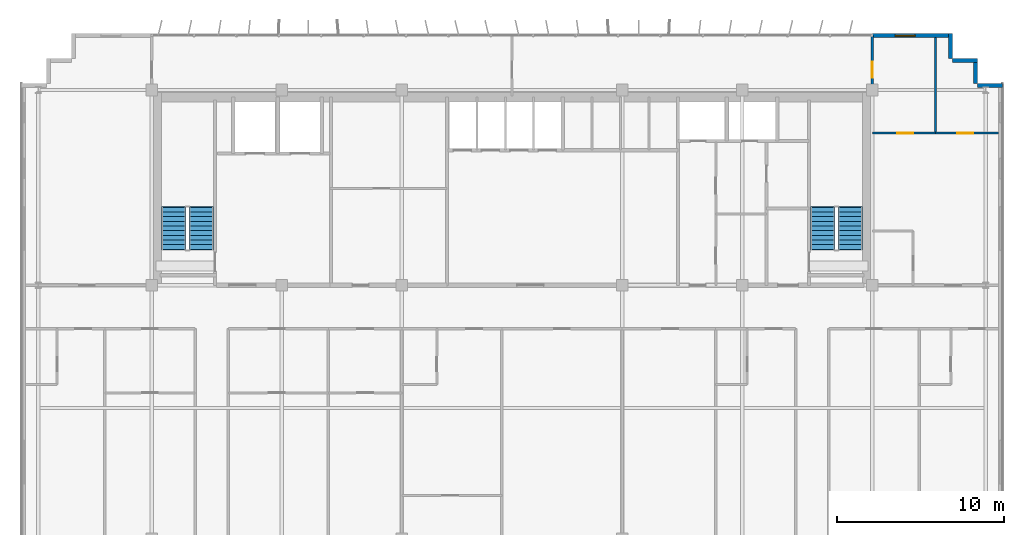
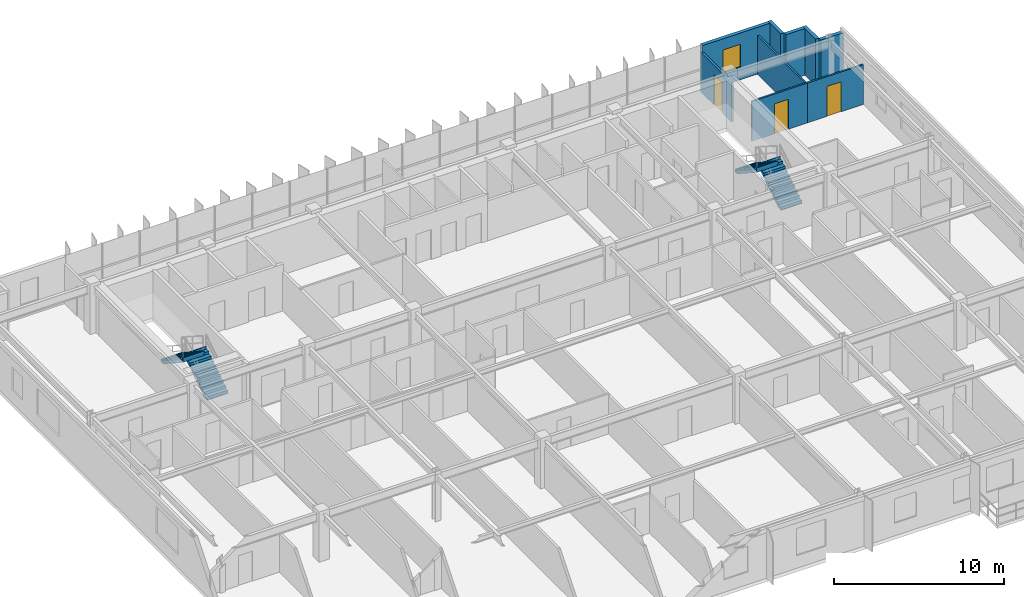
# One storey, part 19 of 21: 9 walls, 4 stair flights, 3 doors, 1 window, 4 openings, 2 elements without a shape of their own.
"""IFC4 building model written with IfcOpenShell, lengths in metres."""

from ifc_helpers import new_model, si_unit, direction, frame, frame_2d, origin, place, context, subcontext, project, spatial, polyline, rectangle, outline, extrude, source, transform, mapped, material, layer, layer_set, type_object, element, fill, aggregate, save


model = new_model("IFC4")

# Units and contexts
model_context = context("Model", 3, precision=1e-05, world=origin(), true_north=direction((0.0, 1.0)))
body_context = subcontext(model_context, "Body", "Model", "MODEL_VIEW")
ifc_project = project(units=[si_unit("LENGTHUNIT", "METRE"), si_unit("AREAUNIT", "SQUARE_METRE"), si_unit("VOLUMEUNIT", "CUBIC_METRE"), si_unit("PLANEANGLEUNIT", "RADIAN"), si_unit("MASSUNIT", "GRAM", prefix="KILO")], contexts=[model_context])

# Site, building, storey
site_placement = place(None, origin())
site = spatial("IfcSite", under=ifc_project, at=site_placement, CompositionType="ELEMENT")
building_placement = place(site_placement, origin())
building = spatial("IfcBuilding", under=site, at=building_placement, Name="Trelvane Seafront Commons", CompositionType="ELEMENT")
storey_placement = place(building_placement, frame((0.0, 0.0, 160.89990234375)))
storey = spatial("IfcBuildingStorey", under=building, at=storey_placement, Name="L42", CompositionType="ELEMENT", Elevation=160.89990234375)

# Wall, opening, window
ifc_material_1 = material(Name="Precast concrete C40/50", Category="concrete")
ifc_layer_1 = layer(ifc_material_1, 0.239990234375, Name="ARCH-WALL-EXT240")
ifc_layer_set_1 = layer_set([ifc_layer_1], Name="Precast concrete C40/50")
wall_type_1 = type_object("IfcWallType", Name="ARCH-WALL-EXT240", PredefinedType="SOLIDWALL", material=ifc_layer_set_1)
wall_1_placement = place(storey_placement, frame((58.800048828125, 48.3701171875, 0.0), z_axis=(0.0, 0.0, 1.0), x_axis=(1.0, 0.0, 0.0)))
wall_1 = element("IfcWall", 1, at=wall_1_placement, inside=storey, type_object=wall_type_1, Name="EW-L42-NE-0822", PredefinedType="SOLIDWALL", context=body_context, shape_type="SweptSolid", body=[
    extrude(rectangle(XDim=4.699951171875, YDim=0.239990234375, at=frame_2d((2.35009765625, 0.0))), origin(), (0.0, 0.0, 1.0), 3.35009765625),
])
opening_1_placement = place(wall_1_placement, frame((1.367919921875, 0.0, 0.89990234375)))
opening_1 = element("IfcOpeningElement", 2, at=opening_1_placement, cuts=wall_1, Name="Opening W05", PredefinedType="OPENING", context=body_context, shape_type="SweptSolid", body=[
    extrude(rectangle(XDim=1.199951171875, YDim=1.64990234375, at=frame_2d((0.60009765625, 0.824951171875))), frame((0.0, 0.1298828125, 0.0), z_axis=(0.0, -1.0, 0.0), x_axis=(1.0, 0.0, 0.0)), (0.0, 0.0, 1.0), 0.260009765625),
])
ifc_material_2 = material(Name="Low-E coastal double glazing", Category="glass")
window_type = type_object("IfcWindowType", Name="ARCH-WIN-W05", PartitioningType="SINGLE_PANEL", PredefinedType="WINDOW", material=ifc_material_2)
shared_shape_1 = source(origin(), body_context, "Body", "SweptSolid", [
    extrude(rectangle(XDim=1.199951171875, YDim=1.64990234375, at=frame_2d((0.60009765625, 0.824951171875))), frame((0.0, 0.030029296875, 0.0), z_axis=(0.0, -1.0, 0.0), x_axis=(1.0, 0.0, 0.0)), (0.0, 0.0, 1.0), 0.06005859375),
])
window_placement = place(opening_1_placement, origin())
window = element("IfcWindow", 3, at=window_placement, inside=storey, type_object=window_type, Name="WIN-L42-00984", OverallHeight=1.64990234375, OverallWidth=1.199951171875, PartitioningType="SINGLE_PANEL", PredefinedType="WINDOW", context=body_context, shape_type="MappedRepresentation", body=[
    mapped(shared_shape_1, transform((0.0, 0.0, 0.0), x_axis=(1.0, 0.0, 0.0), y_axis=(0.0, 1.0, 0.0), z_axis=(0.0, 0.0, 1.0), scale=1.0)),
])
fill(opening_1, window)

# Walls
for number, where, z_axis, x_axis, name in (
    (4, (63.47998046875, 48.5, 0.0), (0.0, 0.0, 1.0), (0.0, -1.0, 0.0), "EW-L42-00831"),
    (5, (63.60009765625, 46.8798828125, 0.0), (0.0, 0.0, 1.0), (1.0, 0.0, 0.0), "EW-L42-00832"),
    (6, (64.97998046875, 47.0, 0.0), (0.0, 0.0, 1.0), (0.0, -1.0, 0.0), "EW-L42-00833"),
    (7, (65.10009765625, 45.3798828125, 0.0), (0.0, 0.0, 1.0), (1.0, 0.0, 0.0), "EW-L42-00834"),
):
    element("IfcWall", number, at=place(storey_placement, frame(where, z_axis=z_axis, x_axis=x_axis)), inside=storey, type_object=wall_type_1, Name=name, PredefinedType="SOLIDWALL", context=body_context, shape_type="SweptSolid", body=[
        extrude(rectangle(XDim=1.5, YDim=0.239990234375, at=frame_2d((0.75, 0.0))), origin(), (0.0, 0.0, 1.0), 3.35009765625),
    ])

# Wall, opening, door
ifc_material_3 = material(Name="Gypsum Drywall Acoustic Partition")
ifc_layer_2 = layer(ifc_material_3, 0.1201171875, Name="ARCH-WALL-PART120")
ifc_layer_set_2 = layer_set([ifc_layer_2], Name="Gypsum Drywall Acoustic Partition")
wall_type_2 = type_object("IfcWallType", Name="ARCH-WALL-PART120", PredefinedType="PARTITIONING", material=ifc_layer_set_2)
wall_2_placement = place(storey_placement, frame((58.800048828125, 42.52001953125, 0.0), z_axis=(0.0, 0.0, 1.0), x_axis=(1.0, 0.0, 0.0)))
wall_2 = element("IfcWall", 8, at=wall_2_placement, inside=storey, type_object=wall_type_2, Name="W-L42-NE-KB1-039", PredefinedType="PARTITIONING", context=body_context, shape_type="SweptSolid", body=[
    extrude(rectangle(XDim=3.77490234375, YDim=0.1201171875, at=frame_2d((1.887451171875, 0.0))), origin(), (0.0, 0.0, 1.0), 2.85009765625),
])
opening_2_placement = place(wall_2_placement, frame((1.506103515625, 0.0, 0.0)))
opening_2 = element("IfcOpeningElement", 9, at=opening_2_placement, cuts=wall_2, Name="Opening D-L42-22", PredefinedType="OPENING", context=body_context, shape_type="SweptSolid", body=[
    extrude(rectangle(XDim=0.949951171875, YDim=2.14990234375, at=frame_2d((0.47509765625, 1.074951171875))), frame((0.0, 0.070068359375, 0.0), z_axis=(0.0, -1.0, 0.0), x_axis=(1.0, 0.0, 0.0)), (0.0, 0.0, 1.0), 0.14013671875),
])
ifc_material_4 = material(Name="Acoustic timber door leaf", Category="wood")
door_type_1 = type_object("IfcDoorType", Name="ARCH-DR-INT950", OperationType="NOTDEFINED", PredefinedType="DOOR", material=ifc_material_4)
shared_shape_2 = source(origin(), body_context, "Body", "SweptSolid", [
    extrude(rectangle(XDim=0.949951171875, YDim=2.14990234375, at=frame_2d((0.47509765625, 1.074951171875))), frame((0.0, 0.02490234375, 0.0), z_axis=(0.0, -1.0, 0.0), x_axis=(1.0, 0.0, 0.0)), (0.0, 0.0, 1.0), 0.050048828125),
])
door_1_placement = place(opening_2_placement, origin())
door_1 = element("IfcDoor", 10, at=door_1_placement, inside=storey, type_object=door_type_1, Name="L42 Door 22", OperationType="SINGLE_SWING_RIGHT", OverallHeight=2.14990234375, OverallWidth=0.949951171875, PredefinedType="DOOR", context=body_context, shape_type="MappedRepresentation", body=[
    mapped(shared_shape_2, transform((0.0, 0.0, 0.0), x_axis=(1.0, 0.0, 0.0), y_axis=(0.0, 1.0, 0.0), z_axis=(0.0, 0.0, 1.0), scale=1.0)),
])
fill(opening_2, door_1)

wall_3_placement = place(storey_placement, frame((62.574951171875, 42.52001953125, 0.0), z_axis=(0.0, 0.0, 1.0), x_axis=(1.0, 0.0, 0.0)))
wall_3 = element("IfcWall", 11, at=wall_3_placement, inside=storey, type_object=wall_type_2, Name="W-L42-NE-KB2-040", PredefinedType="PARTITIONING", context=body_context, shape_type="SweptSolid", body=[
    extrude(rectangle(XDim=3.775146484375, YDim=0.1201171875, at=frame_2d((1.8876953125, 0.0))), origin(), (0.0, 0.0, 1.0), 2.85009765625),
])
opening_3_placement = place(wall_3_placement, frame((1.319091796875, 0.0, 0.0)))
opening_3 = element("IfcOpeningElement", 12, at=opening_3_placement, cuts=wall_3, Name="Opening D-L42-23", PredefinedType="OPENING", context=body_context, shape_type="SweptSolid", body=[
    extrude(rectangle(XDim=0.949951171875, YDim=2.14990234375, at=frame_2d((0.47509765625, 1.074951171875))), frame((0.0, 0.070068359375, 0.0), z_axis=(0.0, -1.0, 0.0), x_axis=(1.0, 0.0, 0.0)), (0.0, 0.0, 1.0), 0.14013671875),
])
door_2_placement = place(opening_3_placement, origin())
door_2 = element("IfcDoor", 13, at=door_2_placement, inside=storey, type_object=door_type_1, Name="L42 Door 23", OperationType="SINGLE_SWING_LEFT", OverallHeight=2.14990234375, OverallWidth=0.949951171875, PredefinedType="DOOR", context=body_context, shape_type="MappedRepresentation", body=[
    mapped(shared_shape_2, transform((0.0, 0.0, 0.0), x_axis=(1.0, 0.0, 0.0), y_axis=(0.0, 1.0, 0.0), z_axis=(0.0, 0.0, 1.0), scale=1.0)),
])
fill(opening_3, door_2)

# Wall
wall_4_placement = place(storey_placement, frame((62.574951171875, 42.52001953125, 0.0), z_axis=(0.0, 0.0, 1.0), x_axis=(0.0, 1.0, 0.0)))
element("IfcWall", 14, at=wall_4_placement, inside=storey, type_object=wall_type_2, Name="W-L42-NE-KBDV-041", PredefinedType="PARTITIONING", context=body_context, shape_type="SweptSolid", body=[
    extrude(rectangle(XDim=5.739990234375, YDim=0.1201171875, at=frame_2d((2.8701171875, 0.0))), origin(), (0.0, 0.0, 1.0), 2.75),
])

# Wall, opening, door
ifc_layer_3 = layer(ifc_material_3, 0.14990234375, Name="ARCH-WALL-PART150")
ifc_layer_set_3 = layer_set([ifc_layer_3], Name="Gypsum Drywall Acoustic Partition")
wall_type_3 = type_object("IfcWallType", Name="ARCH-WALL-PART150", PredefinedType="PARTITIONING", material=ifc_layer_set_3)
wall_5_placement = place(storey_placement, frame((58.800048828125, 44.75, 0.0), z_axis=(0.0, 0.0, 1.0), x_axis=(0.0, 1.0, 0.0)))
wall_5 = element("IfcWall", 15, at=wall_5_placement, inside=storey, type_object=wall_type_3, Name="W-L42-N-LINK-E-045", PredefinedType="PARTITIONING", context=body_context, shape_type="SweptSolid", body=[
    extrude(rectangle(XDim=3.610107421875, YDim=0.14990234375, at=frame_2d((1.80517578125, 0.0))), origin(), (0.0, 0.0, 1.0), 2.85009765625),
])
opening_4_placement = place(wall_5_placement, frame((1.10009765625, 0.0, 0.0)))
opening_4 = element("IfcOpeningElement", 16, at=opening_4_placement, cuts=wall_5, Name="Opening FD-L42-27", PredefinedType="OPENING", context=body_context, shape_type="SweptSolid", body=[
    extrude(rectangle(XDim=0.949951171875, YDim=2.14990234375, at=frame_2d((0.47509765625, 1.074951171875))), frame((0.0, 0.0849609375, 0.0), z_axis=(0.0, -1.0, 0.0), x_axis=(1.0, 0.0, 0.0)), (0.0, 0.0, 1.0), 0.169921875),
])
ifc_material_5 = material(Name="Powder-coated aluminium frame", Category="aluminium")
door_type_2 = type_object("IfcDoorType", Name="ARCH-DR-FD60-950", OperationType="NOTDEFINED", PredefinedType="DOOR", material=ifc_material_5)
door_3_placement = place(opening_4_placement, origin())
door_3 = element("IfcDoor", 17, at=door_3_placement, inside=storey, type_object=door_type_2, Name="L42 Door 27", OperationType="SINGLE_SWING_LEFT", OverallHeight=2.14990234375, OverallWidth=0.949951171875, PredefinedType="DOOR", context=body_context, shape_type="MappedRepresentation", body=[
    mapped(shared_shape_2, transform((0.0, 0.0, 0.0), x_axis=(1.0, 0.0, 0.0), y_axis=(0.0, 1.0, 0.0), z_axis=(0.0, 0.0, 1.0), scale=1.0)),
])
fill(opening_4, door_3)

# Stair, stair flights
ifc_material_6 = material(Name="Concrete C40/50", Category="concrete")
stair_type_1 = type_object("IfcStairType", Name="ARCH-STR-ST-1-R20-180", PredefinedType="HALF_TURN_STAIR", material=ifc_material_6)
stair_1_placement = place(storey_placement, origin())
stair_1 = element("IfcStair", 18, at=stair_1_placement, inside=storey, type_object=stair_type_1, Name="L42 West Protected Firefighting Exit Stair ST-1", PredefinedType="HALF_TURN_STAIR")
stair_flight_type_1 = type_object("IfcStairFlightType", Name="ARCH-FLG-ST-1-R20-180", PredefinedType="STRAIGHT", material=ifc_material_6)
shared_shape_3 = source(origin(), body_context, "Body", "SweptSolid", [
    extrude(outline(polyline([(-0.050048828125, -0.02001953125), (-0.050048828125, 0.0), (0.0, 0.0), (0.0, 0.179931640625), (0.280029296875, 0.179931640625), (0.280029296875, 0.360107421875), (0.56005859375, 0.360107421875), (0.56005859375, 0.5400390625), (0.840087890625, 0.5400390625), (0.840087890625, 0.719970703125), (1.1201171875, 0.719970703125), (1.1201171875, 0.89990234375), (1.39990234375, 0.89990234375), (1.39990234375, 1.080078125), (1.679931640625, 1.080078125), (1.679931640625, 1.260009765625), (1.9599609375, 1.260009765625), (1.9599609375, 1.43994140625), (2.239990234375, 1.43994140625), (2.239990234375, 1.6201171875), (2.52001953125, 1.6201171875), (2.52001953125, 1.800048828125), (2.570068359375, 1.800048828125), (2.570068359375, 1.650146484375), (2.52001953125, 1.44189453125), (0.277099609375, -0.02001953125), (-0.050048828125, -0.02001953125)])), frame((0.0, 0.72509765625, 0.0), z_axis=(0.0, -1.0, 0.0), x_axis=(1.0, 0.0, 0.0)), (0.0, 0.0, 1.0), 1.449951171875),
])
stair_flight_1_placement = place(storey_placement, frame((18.574951171875, 35.550048828125, 0.0), z_axis=(0.0, 0.0, 1.0), x_axis=(0.0, 1.0, 0.0)))
stair_flight_1 = element("IfcStairFlight", 19, at=stair_flight_1_placement, type_object=stair_flight_type_1, Name="ST-1 flight 1", NumberOfRisers=10, NumberOfTreads=9, PredefinedType="STRAIGHT", RiserHeight=0.18, TreadLength=0.28, context=body_context, shape_type="MappedRepresentation", body=[
    mapped(shared_shape_3, transform((0.0, 0.0, 0.0), x_axis=(1.0, 0.0, 0.0), y_axis=(0.0, 1.0, 0.0), z_axis=(0.0, 0.0, 1.0), scale=1.0)),
])
stair_flight_2_placement = place(storey_placement, frame((16.925048828125, 38.070068359375, 1.800048828125), z_axis=(0.0, 0.0, 1.0), x_axis=(0.0, -1.0, 0.0)))
stair_flight_2 = element("IfcStairFlight", 20, at=stair_flight_2_placement, type_object=stair_flight_type_1, Name="ST-1 flight 2", NumberOfRisers=10, NumberOfTreads=9, PredefinedType="STRAIGHT", RiserHeight=0.18, TreadLength=0.28, context=body_context, shape_type="MappedRepresentation", body=[
    mapped(shared_shape_3, transform((0.0, 0.0, 0.0), x_axis=(1.0, 0.0, 0.0), y_axis=(0.0, 1.0, 0.0), z_axis=(0.0, 0.0, 1.0), scale=1.0)),
])
aggregate(stair_1, [stair_flight_1, stair_flight_2])

stair_type_2 = type_object("IfcStairType", Name="ARCH-STR-ST-2-R20-180", PredefinedType="HALF_TURN_STAIR", material=ifc_material_6)
stair_2_placement = place(storey_placement, origin())
stair_2 = element("IfcStair", 21, at=stair_2_placement, inside=storey, type_object=stair_type_2, Name="L42 East Protected Firefighting Exit Stair ST-2", PredefinedType="HALF_TURN_STAIR")
stair_flight_type_2 = type_object("IfcStairFlightType", Name="ARCH-FLG-ST-2-R20-180", PredefinedType="STRAIGHT", material=ifc_material_6)
stair_flight_3_placement = place(storey_placement, frame((57.47509765625, 35.550048828125, 0.0), z_axis=(0.0, 0.0, 1.0), x_axis=(0.0, 1.0, 0.0)))
stair_flight_3 = element("IfcStairFlight", 22, at=stair_flight_3_placement, type_object=stair_flight_type_2, Name="ST-2 flight 1", NumberOfRisers=10, NumberOfTreads=9, PredefinedType="STRAIGHT", RiserHeight=0.18, TreadLength=0.28, context=body_context, shape_type="MappedRepresentation", body=[
    mapped(shared_shape_3, transform((0.0, 0.0, 0.0), x_axis=(1.0, 0.0, 0.0), y_axis=(0.0, 1.0, 0.0), z_axis=(0.0, 0.0, 1.0), scale=1.0)),
])
stair_flight_4_placement = place(storey_placement, frame((55.824951171875, 38.070068359375, 1.800048828125), z_axis=(0.0, 0.0, 1.0), x_axis=(0.0, -1.0, 0.0)))
stair_flight_4 = element("IfcStairFlight", 23, at=stair_flight_4_placement, type_object=stair_flight_type_2, Name="ST-2 flight 2", NumberOfRisers=10, NumberOfTreads=9, PredefinedType="STRAIGHT", RiserHeight=0.18, TreadLength=0.28, context=body_context, shape_type="MappedRepresentation", body=[
    mapped(shared_shape_3, transform((0.0, 0.0, 0.0), x_axis=(1.0, 0.0, 0.0), y_axis=(0.0, 1.0, 0.0), z_axis=(0.0, 0.0, 1.0), scale=1.0)),
])
aggregate(stair_2, [stair_flight_3, stair_flight_4])

save(model, "model.ifc")
